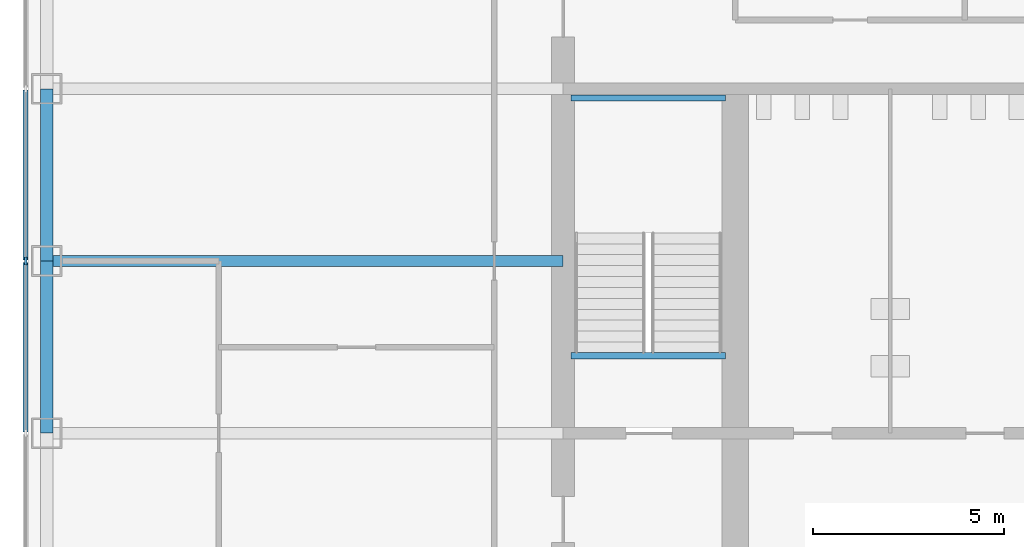
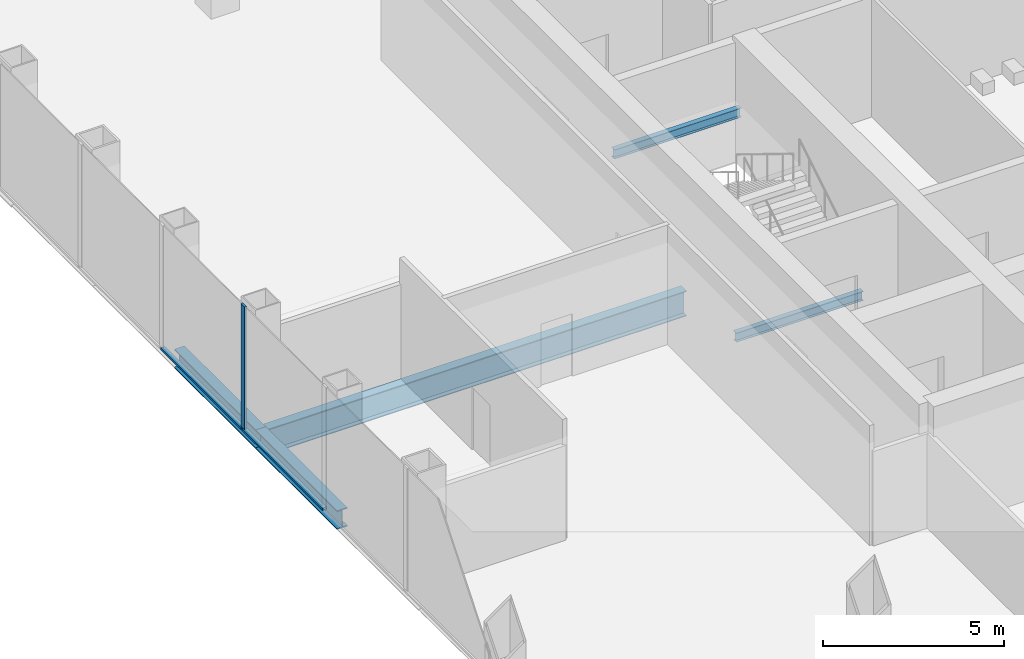
# One storey, part 3 of 13: 5 beams, 3 members, 1 element without a shape of its own.
"""IFC4 building model written with IfcOpenShell, lengths in metres."""

from ifc_helpers import new_model, si_unit, direction, frame, origin, origin_2d, place, context, subcontext, project, spatial, rectangle, i_section, extrude, material, material_profile, profile_set, type_object, element, aggregate, save


model = new_model("IFC4")

# Units and contexts
model_context = context("Model", 3, precision=1e-05, world=origin(), true_north=direction((0.0, 1.0)))
body_context = subcontext(model_context, "Body", "Model", "MODEL_VIEW")
ifc_project = project(units=[si_unit("LENGTHUNIT", "METRE"), si_unit("AREAUNIT", "SQUARE_METRE"), si_unit("VOLUMEUNIT", "CUBIC_METRE"), si_unit("PLANEANGLEUNIT", "RADIAN"), si_unit("MASSUNIT", "GRAM", prefix="KILO")], contexts=[model_context])

# Site, building, storey
site_placement = place(None, origin())
site = spatial("IfcSite", under=ifc_project, at=site_placement, CompositionType="ELEMENT")
building_placement = place(site_placement, origin())
building = spatial("IfcBuilding", under=site, at=building_placement, Name="Corais Broadcast Tower", CompositionType="ELEMENT")
storey_placement = place(building_placement, frame((0.0, 0.0, 62.60009765625)))
storey = spatial("IfcBuildingStorey", under=building, at=storey_placement, Name="L13", CompositionType="ELEMENT", Elevation=62.60009765625)

# Beams
ifc_material_1 = material(Name="Steel ASTM A572 Grade 50", Category="steel")
ifc_material_profile_1 = material_profile(ifc_material_1, i_section(OverallWidth=0.2939453125, OverallDepth=0.85107421875, WebThickness=0.01611328125, FlangeThickness=0.02685546875, at=origin_2d()), Name="W840x226")
ifc_profile_set_1 = profile_set([ifc_material_profile_1], Name="Steel ASTM A572 Grade 50")
beam_type_1 = type_object("IfcBeamType", Name="Floor beam W840x226", PredefinedType="BEAM", material=ifc_profile_set_1)
beam_placement = place(storey_placement, frame((0.0, 27.0, -0.585693359375), z_axis=(1.0, 0.0, 0.0), x_axis=(0.0, 1.0, 0.0)))
element("IfcBeam", 1, at=beam_placement, inside=storey, type_object=beam_type_1, Name="B1 G/3 to G/6", PredefinedType="BEAM", context=body_context, shape_type="SweptSolid", body=[
    extrude(i_section(OverallWidth=0.2939453125, OverallDepth=0.85107421875, WebThickness=0.01611328125, FlangeThickness=0.02685546875, at=origin_2d()), origin(), (0.0, 0.0, 1.0), 13.5),
])
ifc_material_2 = material(Name="Steel ASTM A572 Grade 50", Category="steel")
ifc_material_profile_2 = material_profile(ifc_material_2, i_section(OverallWidth=0.1650390625, OverallDepth=0.31005859375, WebThickness=0.005859375, FlangeThickness=0.009765625, at=origin_2d()), Name="W310x38.7")
ifc_profile_set_2 = profile_set([ifc_material_profile_2], Name="Steel ASTM A572 Grade 50")
beam_type_2 = type_object("IfcBeamType", Name="Landing trimmer W310x38.7", PredefinedType="BEAM", material=ifc_profile_set_2)
for number, where, z_axis, x_axis, name in (
    (2, (13.699951171875, 24.52490234375, -0.35498046875), (1.0, 0.0, 0.0), (0.0, 1.0, 0.0), "LT1 stair A landing trimmer L13"),
    (3, (13.699951171875, 31.260009765625, 1.744873046875), (1.0, 0.0, 0.0), (0.0, 1.0, 0.0), "LT1 stair A half landing trimmer L13"),
):
    element("IfcBeam", number, at=place(storey_placement, frame(where, z_axis=z_axis, x_axis=x_axis)), inside=storey, type_object=beam_type_2, Name=name, PredefinedType="BEAM", context=body_context, shape_type="SweptSolid", body=[
        extrude(i_section(OverallWidth=0.1650390625, OverallDepth=0.31005859375, WebThickness=0.005859375, FlangeThickness=0.009765625, at=origin_2d()), origin(), (0.0, 0.0, 1.0), 4.050048828125),
    ])

# Curtain wall, member
ifc_material_3 = material(Name="Aluminium and glass", Category="aluminium")
curtain_wall_type = type_object("IfcCurtainWallType", Name="Unitised fritted curtain wall CW1", PredefinedType="NOTDEFINED", material=ifc_material_3)
curtain_wall_placement = place(storey_placement, origin())
curtain_wall = element("IfcCurtainWall", 4, at=curtain_wall_placement, inside=storey, type_object=curtain_wall_type, Name="CW1 curtain wall L13 2", PredefinedType="NOTDEFINED")
ifc_material_4 = material(Name="Aluminium 6063-T6", Category="aluminium")
ifc_material_profile_3 = material_profile(ifc_material_4, rectangle(XDim=0.06494140625, YDim=0.199951171875, at=origin_2d()), Name="Mullion CW1 65x200")
ifc_profile_set_3 = profile_set([ifc_material_profile_3], Name="Aluminium 6063-T6")
member_type_1 = type_object("IfcMemberType", Name="Mullion CW1 65x200", PredefinedType="MULLION", material=ifc_profile_set_3)
member_1_placement = place(storey_placement, frame((-0.550048828125, 27.0, 0.0), z_axis=(0.0, 0.0, 1.0), x_axis=(-1.0, 0.0, 0.0)))
member_1 = element("IfcMember", 5, at=member_1_placement, type_object=member_type_1, Name="CW1 mullion 6", PredefinedType="MULLION", context=body_context, shape_type="SweptSolid", body=[
    extrude(rectangle(XDim=0.06494140625, YDim=0.199951171875, at=origin_2d()), origin(), (0.0, 0.0, 1.0), 4.199951171875),
])

# Beams
ifc_material_5 = material(Name="Steel ASTM A572 Grade 50", Category="steel")
ifc_material_profile_4 = material_profile(ifc_material_5, i_section(OverallWidth=0.3291015625, OverallDepth=0.635009765625, WebThickness=0.017822265625, FlangeThickness=0.031005859375, at=origin_2d()), Name="W610x241")
ifc_profile_set_4 = profile_set([ifc_material_profile_4], Name="Steel ASTM A572 Grade 50")
beam_type_3 = type_object("IfcBeamType", Name="Spandrel W610x241", PredefinedType="BEAM", material=ifc_profile_set_4)
for number, where, z_axis, x_axis, name in (
    (6, (0.0, 27.0, -0.4775390625), (0.0, -1.0, 0.0), (1.0, 0.0, 0.0), "SB1 G/3 to F/3"),
    (7, (0.0, 31.5, -0.4775390625), (0.0, -1.0, 0.0), (1.0, 0.0, 0.0), "SB1 H/3 to G/3"),
):
    element("IfcBeam", number, at=place(storey_placement, frame(where, z_axis=z_axis, x_axis=x_axis)), inside=storey, type_object=beam_type_3, Name=name, PredefinedType="BEAM", context=body_context, shape_type="SweptSolid", body=[
        extrude(i_section(OverallWidth=0.3291015625, OverallDepth=0.635009765625, WebThickness=0.017822265625, FlangeThickness=0.031005859375, at=origin_2d()), origin(), (0.0, 0.0, 1.0), 4.5),
    ])

# Member
ifc_material_6 = material(Name="Aluminium 6063-T6", Category="aluminium")
ifc_material_profile_5 = material_profile(ifc_material_6, rectangle(XDim=0.139892578125, YDim=0.06494140625, at=origin_2d()), Name="Transom CW1 65x140")
ifc_profile_set_5 = profile_set([ifc_material_profile_5], Name="Aluminium 6063-T6")
member_type_2 = type_object("IfcMemberType", Name="Transom CW1 65x140", PredefinedType="USERDEFINED", material=ifc_profile_set_5)
member_2_placement = place(storey_placement, frame((-0.550048828125, 22.532470703125, 0.032470703125), z_axis=(0.0, 1.0, 0.0), x_axis=(-1.0, 0.0, 0.0)))
member_2 = element("IfcMember", 8, at=member_2_placement, type_object=member_type_2, Name="CW1 transom 5.1", ObjectType="TRANSOM", PredefinedType="USERDEFINED", context=body_context, shape_type="SweptSolid", body=[
    extrude(rectangle(XDim=0.139892578125, YDim=0.06494140625, at=origin_2d()), origin(), (0.0, 0.0, 1.0), 4.43505859375),
])

member_3_placement = place(storey_placement, frame((-0.550048828125, 27.032470703125, 0.032470703125), z_axis=(0.0, 1.0, 0.0), x_axis=(-1.0, 0.0, 0.0)))
member_3 = element("IfcMember", 9, at=member_3_placement, type_object=member_type_2, Name="CW1 transom 6.1", ObjectType="TRANSOM", PredefinedType="USERDEFINED", context=body_context, shape_type="SweptSolid", body=[
    extrude(rectangle(XDim=0.139892578125, YDim=0.06494140625, at=origin_2d()), origin(), (0.0, 0.0, 1.0), 4.43505859375),
])

aggregate(curtain_wall, [member_1, member_2, member_3])

save(model, "model.ifc")
